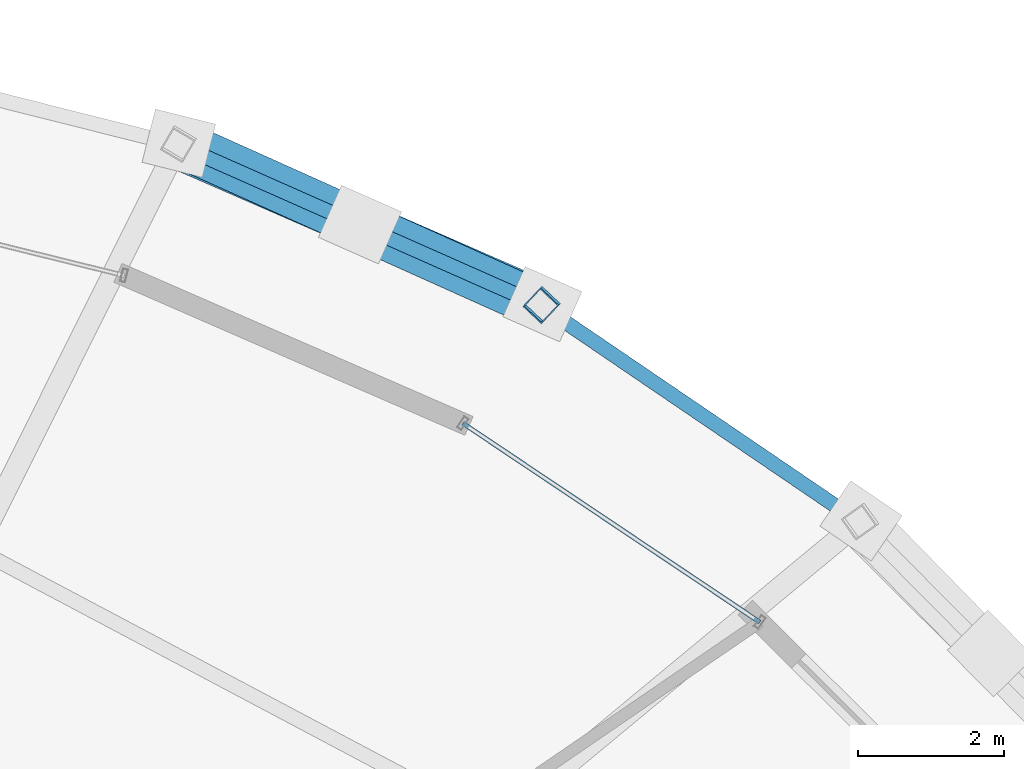
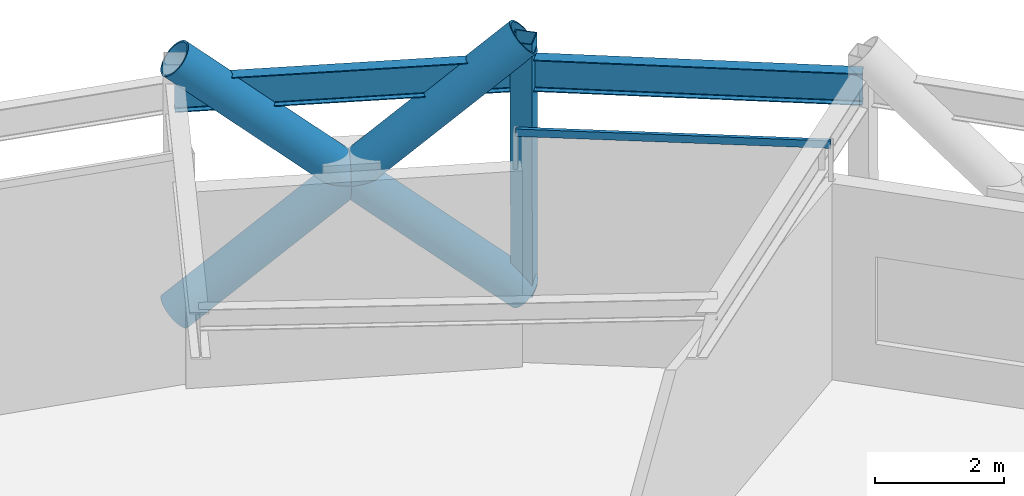
# One storey, part 29 of 39: 5 members, 2 beams, 1 element without a shape of its own.
"""IFC4 building model written with IfcOpenShell, lengths in metres."""

from ifc_helpers import new_model, si_unit, direction, frame, origin, origin_2d, place, context, subcontext, project, spatial, hollow_rectangle, hollow_circle, i_section, extrude, material, layer, layer_set, material_profile, profile_set, type_object, element, aggregate, save


model = new_model("IFC4")

# Units and contexts
model_context = context("Model", 3, precision=1e-05, world=origin(), true_north=direction((0.0, 1.0)))
body_context = subcontext(model_context, "Body", "Model", "MODEL_VIEW")
ifc_project = project(units=[si_unit("LENGTHUNIT", "METRE"), si_unit("AREAUNIT", "SQUARE_METRE"), si_unit("VOLUMEUNIT", "CUBIC_METRE"), si_unit("PLANEANGLEUNIT", "RADIAN"), si_unit("MASSUNIT", "GRAM", prefix="KILO")], contexts=[model_context])

# Site, building, storey
site_placement = place(None, origin())
site = spatial("IfcSite", under=ifc_project, at=site_placement, CompositionType="ELEMENT")
building_placement = place(site_placement, origin())
building = spatial("IfcBuilding", under=site, at=building_placement, Name="Veldorina Hangang Commons", CompositionType="ELEMENT")
storey_placement = place(building_placement, frame((0.0, 0.0, 106.0)))
storey = spatial("IfcBuildingStorey", under=building, at=storey_placement, Name="L27", CompositionType="ELEMENT", Elevation=106.0)

# Beams
ifc_material_1 = material(Name="Steel SM420-TMC", Category="steel")
ifc_material_profile_1 = material_profile(ifc_material_1, i_section(OverallWidth=0.199951171875, OverallDepth=0.60009765625, WebThickness=0.010986328125, FlangeThickness=0.01708984375, FilletRadius=0.01806640625, at=origin_2d()), Name="H-600x200x11x17")
ifc_profile_set_1 = profile_set([ifc_material_profile_1], Name="Steel SM420-TMC")
beam_type = type_object("IfcBeamType", Name="BM-RB600", PredefinedType="BEAM", material=ifc_profile_set_1)
beam_1_placement = place(storey_placement, frame((52.32958984375, 40.846923828125, 4.139892578125), z_axis=(-0.826896335744, 0.562354381092, 0.0), x_axis=(-0.562354381092, -0.826896335744, 0.0)))
element("IfcBeam", 1, at=beam_1_placement, inside=storey, type_object=beam_type, Name="L27 perimeter hoop ring beam 04", PredefinedType="BEAM", context=body_context, shape_type="SweptSolid", body=[
    extrude(i_section(OverallWidth=0.199951171875, OverallDepth=0.60009765625, WebThickness=0.010986328125, FlangeThickness=0.01708984375, FilletRadius=0.01806640625, at=origin_2d()), origin(), (0.0, 0.0, 1.0), 5.268798828125),
])
beam_2_placement = place(storey_placement, frame((47.972900390625, 43.809814453125, 4.139892578125), z_axis=(-0.914309006234, 0.405017334343, 0.0), x_axis=(-0.405017334343, -0.914309006234, 0.0)))
element("IfcBeam", 2, at=beam_2_placement, inside=storey, type_object=beam_type, Name="L27 perimeter hoop ring beam 05", PredefinedType="BEAM", context=body_context, shape_type="SweptSolid", body=[
    extrude(i_section(OverallWidth=0.199951171875, OverallDepth=0.60009765625, WebThickness=0.010986328125, FlangeThickness=0.01708984375, FilletRadius=0.01806640625, at=origin_2d()), origin(), (0.0, 0.0, 1.0), 5.4365234375),
])

# Curtain wall, member
ifc_material_2 = material(Name="Glass Acoustic Laminated", Category="glass")
ifc_layer = layer(ifc_material_2, 0.179931640625)
ifc_layer_set = layer_set([ifc_layer], Name="Glass Acoustic Laminated")
curtain_wall_type = type_object("IfcCurtainWallType", Name="CW-SYS-SKY", PredefinedType="NOTDEFINED", material=ifc_layer_set)
curtain_wall_placement = place(storey_placement, origin())
curtain_wall = element("IfcCurtainWall", 3, at=curtain_wall_placement, inside=storey, type_object=curtain_wall_type, Name="L27 unitised curtain wall CW-L27-R3", PredefinedType="NOTDEFINED")
ifc_material_3 = material(Name="Aluminium Anodized AA6063-T6", Category="aluminium")
ifc_material_profile_2 = material_profile(ifc_material_3, hollow_rectangle(XDim=0.06005859375, YDim=0.139892578125, WallThickness=0.00341796875, at=origin_2d()), Name="ALU-RHS-140x60x3.5")
ifc_profile_set_2 = profile_set([ifc_material_profile_2], Name="Aluminium Anodized AA6063-T6")
member_type_1 = type_object("IfcMemberType", Name="CW-TRN-140", PredefinedType="USERDEFINED", material=ifc_profile_set_2)
member_1_placement = place(storey_placement, frame((50.966796875, 39.477294921875, 4.360107421875), z_axis=(-0.830904498806, 0.55641505539, 0.0), x_axis=(-0.55641505539, -0.830904498806, 0.0)))
member_1 = element("IfcMember", 4, at=member_1_placement, type_object=member_type_1, Name="CW-L27-R3 facet 1 transom 1", ObjectType="TRANSOM", PredefinedType="USERDEFINED", context=body_context, shape_type="SweptSolid", body=[
    extrude(hollow_rectangle(XDim=0.06005859375, YDim=0.139892578125, WallThickness=0.00341796875, at=origin_2d()), origin(), (0.0, 0.0, 1.0), 4.891845703125),
])
aggregate(curtain_wall, [member_1])

# Members
ifc_material_4 = material(Name="Steel SM460-TMC", Category="steel")
ifc_material_profile_3 = material_profile(ifc_material_4, hollow_circle(Radius=0.324951171875, WallThickness=0.031982421875, at=origin_2d()), Name="CHS-650x32")
ifc_profile_set_3 = profile_set([ifc_material_profile_3], Name="Steel SM460-TMC")
member_type_2 = type_object("IfcMemberType", Name="DG-CHS650", PredefinedType="BRACE", material=ifc_profile_set_3)
member_2_placement = place(storey_placement, frame((47.990966796875, 43.8291015625, 0.0), z_axis=(-0.687498515775, 0.300196250455, 0.661232184652), x_axis=(-0.400164928698, -0.916443140538, 0.0)))
element("IfcMember", 5, at=member_2_placement, inside=storey, type_object=member_type_2, Name="L27 continuous perimeter diagrid brace 05", PredefinedType="BRACE", context=body_context, shape_type="SweptSolid", body=[
    extrude(hollow_circle(Radius=0.324951171875, WallThickness=0.031982421875, at=origin_2d()), origin(), (0.0, 0.0, 1.0), 7.25927734375),
])
member_3_placement = place(storey_placement, frame((43.0146484375, 46.03271484375, 0.0), z_axis=(0.683573689675, -0.307019162837, 0.662167837059), x_axis=(0.409710929168, 0.912215410153, 0.0)))
element("IfcMember", 6, at=member_3_placement, inside=storey, type_object=member_type_2, Name="L27 split perimeter diagrid lower brace 06", PredefinedType="BRACE", context=body_context, shape_type="SweptSolid", body=[
    extrude(hollow_circle(Radius=0.324951171875, WallThickness=0.031982421875, at=origin_2d()), origin(), (0.0, 0.0, 1.0), 3.626953125),
])
member_4_placement = place(storey_placement, frame((45.493896484375, 44.919189453125, 2.401611328125), z_axis=(0.683574242802, -0.307075946579, 0.662140934854), x_axis=(0.409773706981, 0.912187211633, 0.0)))
element("IfcMember", 7, at=member_4_placement, inside=storey, type_object=member_type_2, Name="L27 split perimeter diagrid upper brace 06", PredefinedType="BRACE", context=body_context, shape_type="SweptSolid", body=[
    extrude(hollow_circle(Radius=0.324951171875, WallThickness=0.031982421875, at=origin_2d()), origin(), (0.0, 0.0, 1.0), 3.622314453125),
])
ifc_material_5 = material(Name="Steel SM355-TMC", Category="steel")
ifc_material_profile_4 = material_profile(ifc_material_5, hollow_rectangle(XDim=0.35009765625, YDim=0.35009765625, WallThickness=0.01611328125, at=origin_2d()), Name="SHS-350x350x16")
ifc_profile_set_4 = profile_set([ifc_material_profile_4], Name="Steel SM355-TMC")
member_type_3 = type_object("IfcMemberType", Name="STR-SHS350", PredefinedType="STRUT", material=ifc_profile_set_4)
member_5_placement = place(storey_placement, frame((47.990966796875, 43.8291015625, 0.0), z_axis=(-0.004374053006, -0.004628358414, 0.999979722774), x_axis=(0.726791623273, -0.686858017599, 0.0)))
element("IfcMember", 8, at=member_5_placement, inside=storey, type_object=member_type_3, Name="L27 perimeter ring node post 05", PredefinedType="STRUT", context=body_context, shape_type="SweptSolid", body=[
    extrude(hollow_rectangle(XDim=0.35009765625, YDim=0.35009765625, WallThickness=0.01611328125, at=origin_2d()), origin(), (0.0, 0.0, 1.0), 4.800048828125),
])

save(model, "model.ifc")
